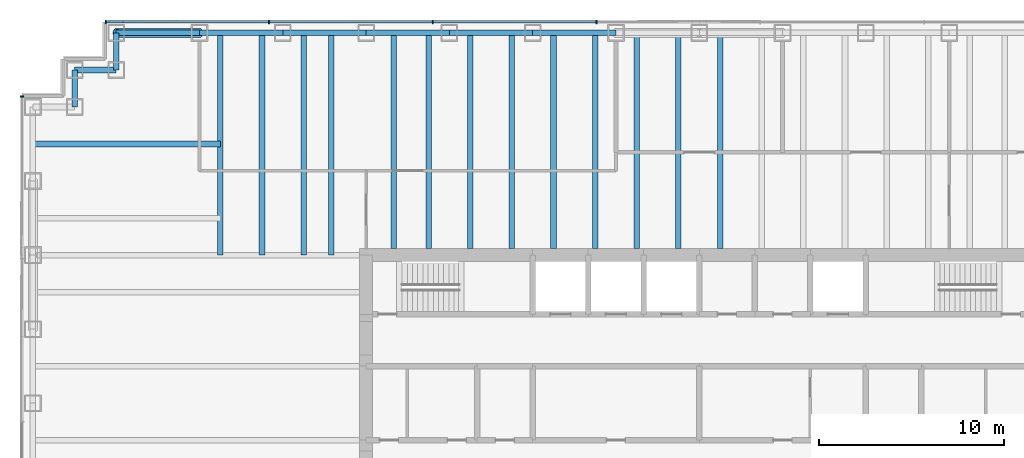
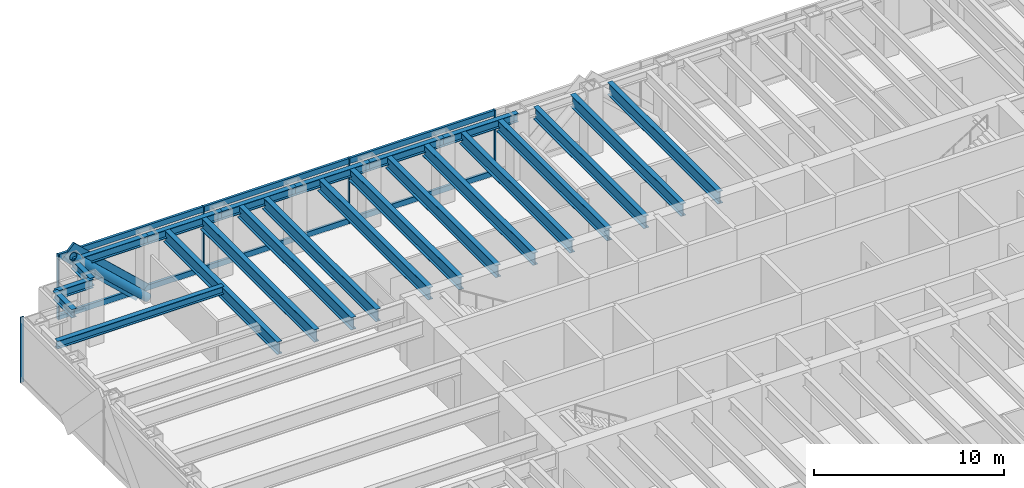
# One storey, part 6 of 17: 23 beams, 13 members, 2 elements without a shape of their own.
"""IFC4 building model written with IfcOpenShell, lengths in metres."""

import ifcopenshell
import ifcopenshell.guid

model = None  # the IFC model being written
_history = None  # IfcOwnerHistory: only IFC2X3 demands one
_inside = {}  # id of a spatial element -> (the spatial element, [elements in it])
_under = {}  # id of a project, library or spatial element -> (it, [spatial elements below it])
_declared = {}  # id of a project -> (the project, [libraries it declares])
_typed = {}  # id of a type object -> (the type object, [elements of that type])
_made_of = {}  # id of a material, layer set ... -> (it, [elements and type objects made of it])


def new_model(schema):
    """Start an empty IFC model of exactly this schema.

    Asked for "IFC4X3", IfcOpenShell would pick the latest addendum, in which some entities
    have other attributes; the version numbers below select the first issue.
    IFC2X3 requires an IfcOwnerHistory on every rooted entity: one is made here for all.
    """
    global model, _history
    if schema == "IFC4X3":
        model = ifcopenshell.file(schema_version=(4, 3, 0, 0))
    else:
        model = ifcopenshell.file(schema=schema)
    _inside.clear()
    _under.clear()
    _declared.clear()
    _typed.clear()
    _made_of.clear()
    _history = None
    if model.schema == "IFC2X3":
        org = make("IfcOrganization", Name="unknown")
        user = make(
            "IfcPersonAndOrganization",
            ThePerson=make("IfcPerson", FamilyName="unknown"),
            TheOrganization=org,
        )
        app = make(
            "IfcApplication",
            ApplicationDeveloper=org,
            Version="unknown",
            ApplicationFullName="unknown",
            ApplicationIdentifier="unknown",
        )
        _history = make(
            "IfcOwnerHistory",
            OwningUser=user,
            OwningApplication=app,
            ChangeAction="ADDED",
            CreationDate=0,
        )
    return model


def make(cls, **values):
    """One entity of the class cls with the attributes given. An attribute that is None is left unset."""
    return model.create_entity(
        cls, **{name: value for name, value in values.items() if value is not None}
    )


def rooted(cls, **values):
    """An entity with a GlobalId (a new one), such as an element, a storey or a relation."""
    return make(cls, GlobalId=ifcopenshell.guid.new(), OwnerHistory=_history, **values)


def si_unit(unit_type, name, prefix=None):
    """IfcSIUnit, for example si_unit("LENGTHUNIT", "METRE", prefix="MILLI")."""
    return make("IfcSIUnit", UnitType=unit_type, Prefix=prefix, Name=name)


def assignment(units):
    """IfcUnitAssignment: the units of a project."""
    return None if units is None else make("IfcUnitAssignment", Units=units)


def point(xyz):
    """IfcCartesianPoint."""
    return None if xyz is None else make("IfcCartesianPoint", Coordinates=xyz)


def direction(xyz):
    """IfcDirection."""
    return None if xyz is None else make("IfcDirection", DirectionRatios=xyz)


def frame(location, z_axis=None, x_axis=None):
    """IfcAxis2Placement3D, a coordinate frame: its origin and axes. An axis left out is left unset."""
    return make(
        "IfcAxis2Placement3D",
        Location=point(location),
        Axis=direction(z_axis),
        RefDirection=direction(x_axis),
    )


def frame_2d(location, x_axis=None):
    """IfcAxis2Placement2D, a coordinate frame in the plane: its origin and x axis."""
    return make(
        "IfcAxis2Placement2D", Location=point(location), RefDirection=direction(x_axis)
    )


def origin():
    """The frame at (0, 0, 0) with its axes left unset."""
    return frame((0.0, 0.0, 0.0))


def origin_2d():
    """The frame at (0, 0) in the plane with its x axis left unset."""
    return frame_2d((0.0, 0.0))


def place(relative_to, where):
    """IfcLocalPlacement: puts the frame where relative to a parent placement (None: the world)."""
    return make(
        "IfcLocalPlacement", PlacementRelTo=relative_to, RelativePlacement=where
    )


def context(
    kind, dimensions, precision=None, world=None, true_north=None, identifier=None
):
    """IfcGeometricRepresentationContext, for example the 3D "Model" context."""
    return make(
        "IfcGeometricRepresentationContext",
        ContextIdentifier=identifier,
        ContextType=kind,
        CoordinateSpaceDimension=dimensions,
        Precision=precision,
        WorldCoordinateSystem=world,
        TrueNorth=true_north,
    )


def subcontext(parent, identifier, kind, view, scale=None):
    """IfcGeometricRepresentationSubContext, for example "Body" below "Model"."""
    return make(
        "IfcGeometricRepresentationSubContext",
        ContextIdentifier=identifier,
        ContextType=kind,
        ParentContext=parent,
        TargetScale=scale,
        TargetView=view,
    )


def project(units=None, contexts=None):
    """IfcProject with its units and contexts."""
    return rooted(
        "IfcProject",
        Name="project",
        RepresentationContexts=contexts,
        UnitsInContext=assignment(units),
    )


def spatial(cls, under=None, at=None, **own):
    """A site, building, storey or space (cls), placed at a placement, below another one or the project."""
    s = rooted(cls, ObjectPlacement=at, **own)
    if under is not None:
        _under.setdefault(under.id(), (under, []))[1].append(s)
    return s


def profile(cls, at=None, kind="AREA", **sizes):
    """A parametric profile (cls). Its sizes go by their IFC names, for example OverallWidth=200.0."""
    return make(cls, ProfileType=kind, Position=at, **sizes)


def rectangle(**sizes):
    """IfcRectangleProfileDef."""
    return profile("IfcRectangleProfileDef", **sizes)


def hollow_circle(**sizes):
    """IfcCircleHollowProfileDef."""
    return profile("IfcCircleHollowProfileDef", **sizes)


def i_section(**sizes):
    """IfcIShapeProfileDef."""
    return profile("IfcIShapeProfileDef", **sizes)


def extrude(swept, where, along, depth):
    """IfcExtrudedAreaSolid: the profile swept, set in the frame where, extruded along a direction by depth."""
    return make(
        "IfcExtrudedAreaSolid",
        SweptArea=swept,
        Position=where,
        ExtrudedDirection=direction(along),
        Depth=depth,
    )


def shape(context_of_items, identifier, shape_type, items):
    """IfcShapeRepresentation: the items that make up one representation, for example the "Body"."""
    return make(
        "IfcShapeRepresentation",
        ContextOfItems=context_of_items,
        RepresentationIdentifier=identifier,
        RepresentationType=shape_type,
        Items=items,
    )


def material(Name=None, Category=None):
    """IfcMaterial."""
    return make("IfcMaterial", Name=Name, Category=Category)


def material_profile(
    of_material, cross_section, Name=None, Category=None, Priority=None
):
    """IfcMaterialProfile: a cross section and its material."""
    return make(
        "IfcMaterialProfile",
        Name=Name,
        Material=of_material,
        Profile=cross_section,
        Priority=Priority,
        Category=Category,
    )


def profile_set(profiles, Name=None, composite=None):
    """IfcMaterialProfileSet."""
    return make(
        "IfcMaterialProfileSet",
        Name=Name,
        MaterialProfiles=profiles,
        CompositeProfile=composite,
    )


def made_of(thing, what):
    """Note that an element or type object is made of a material, layer set ...; save() writes the relation."""
    if what is not None:
        _made_of.setdefault(what.id(), (what, []))[1].append(thing)
    return thing


def type_object(cls, material=None, **own):
    """A type object (cls), such as IfcWallType, which elements share."""
    return made_of(rooted(cls, **own), material)


def element(
    cls,
    number,
    at=None,
    inside=None,
    cuts=None,
    type_object=None,
    material=None,
    context=None,
    identifier="Body",
    shape_type=None,
    held_by="IfcProductDefinitionShape",
    body=None,
    shapes=None,
    **own,
):
    """One element of the class cls, such as IfcWall. Its Tag is "e" and its number.

    at: its placement. inside: the storey or other place that contains it. cuts: it is an
    opening in that element (IfcRelVoidsElement). A single representation is given by context,
    identifier, shape_type and body (its items); several are given by shapes. held_by: the class
    of the entity that holds the representations. save() writes the other relations.
    """
    e = rooted(cls, Tag="e%d" % number, ObjectPlacement=at, **own)
    if body is not None:
        shapes = [shape(context, identifier, shape_type, body)]
    if shapes is not None:
        e.Representation = make(held_by, Representations=shapes)
    if inside is not None:
        _inside.setdefault(inside.id(), (inside, []))[1].append(e)
    if cuts is not None:
        rooted(
            "IfcRelVoidsElement", RelatingBuildingElement=cuts, RelatedOpeningElement=e
        )
    if type_object is not None:
        _typed.setdefault(type_object.id(), (type_object, []))[1].append(e)
    return made_of(e, material)


def aggregate(whole, parts):
    """IfcRelAggregates: a whole, such as a stair, and the parts it consists of."""
    return rooted("IfcRelAggregates", RelatingObject=whole, RelatedObjects=parts)


def save(model, path):
    """Write the relations noted so far, then the file.

    IfcRelAggregates (storeys below a building ...), IfcRelContainedInSpatialStructure (elements
    in a storey), IfcRelDefinesByType, IfcRelAssociatesMaterial and IfcRelDeclares: one each for
    every whole, place, type object, material and project.
    """
    for whole, parts in _under.values():
        aggregate(whole, parts)
    for where, things in _inside.values():
        rooted(
            "IfcRelContainedInSpatialStructure",
            RelatedElements=things,
            RelatingStructure=where,
        )
    for kind, things in _typed.values():
        rooted("IfcRelDefinesByType", RelatedObjects=things, RelatingType=kind)
    for what, things in _made_of.values():
        rooted("IfcRelAssociatesMaterial", RelatedObjects=things, RelatingMaterial=what)
    for by, libraries in _declared.values():
        rooted("IfcRelDeclares", RelatingContext=by, RelatedDefinitions=libraries)
    model.write(path)


model = new_model("IFC4")

# Units and contexts
model_context = context("Model", 3, precision=1e-05, world=origin(), true_north=direction((0.0, 1.0)))
body_context = subcontext(model_context, "Body", "Model", "MODEL_VIEW")
ifc_project = project(units=[si_unit("LENGTHUNIT", "METRE"), si_unit("AREAUNIT", "SQUARE_METRE"), si_unit("VOLUMEUNIT", "CUBIC_METRE"), si_unit("PLANEANGLEUNIT", "RADIAN"), si_unit("MASSUNIT", "GRAM", prefix="KILO")], contexts=[model_context])

# Site, building, storey
site_placement = place(None, origin())
site = spatial("IfcSite", under=ifc_project, at=site_placement, CompositionType="ELEMENT")
building_placement = place(site_placement, origin())
building = spatial("IfcBuilding", under=site, at=building_placement, Name="Rheinbord Bourse Tower", CompositionType="ELEMENT")
storey_placement = place(building_placement, frame((0.0, 0.0, 300.5)))
storey = spatial("IfcBuildingStorey", under=building, at=storey_placement, Name="L68", CompositionType="ELEMENT", Elevation=300.5)

# Curtain wall, members
ifc_material_1 = material(Name="Dark glass and black aluminium", Category="aluminium")
curtain_wall_type = type_object("IfcCurtainWallType", Name="CW3 DARK GLASS CURTAIN WALL", PredefinedType="USERDEFINED", material=ifc_material_1)
curtain_wall_1_placement = place(storey_placement, origin())
curtain_wall_1 = element("IfcCurtainWall", 1, at=curtain_wall_1_placement, inside=storey, type_object=curtain_wall_type, Name="Curtain wall CW3 N L68", ObjectType="UNITISED CURTAIN WALL", PredefinedType="USERDEFINED")
ifc_material_2 = material(Name="Black anodised aluminium", Category="aluminium")
ifc_material_profile_1 = material_profile(ifc_material_2, rectangle(XDim=0.14990234375, YDim=1.10791015625, at=origin_2d()), Name="CW3 DIAGONAL MULLION 1108x150")
ifc_profile_set_1 = profile_set([ifc_material_profile_1], Name="Black anodised aluminium")
member_type_1 = type_object("IfcMemberType", Name="CW3 BLACK DIAGONAL MULLION", PredefinedType="USERDEFINED", material=ifc_profile_set_1)
member_1_placement = place(storey_placement, frame((9.0, 44.60009765625, 0.0), z_axis=(-0.73105922506, 0.0, 0.682314010889), x_axis=(0.0, -1.0, 0.0)))
member_1 = element("IfcMember", 2, at=member_1_placement, type_object=member_type_1, Name="CW3 diagonal mullion b", ObjectType="DIAGONAL MULLION", PredefinedType="USERDEFINED", context=body_context, shape_type="SweptSolid", body=[
    extrude(rectangle(XDim=0.14990234375, YDim=1.10791015625, at=origin_2d()), origin(), (0.0, 0.0, 1.0), 6.155517578125),
])
ifc_material_3 = material(Name="Black anodised aluminium", Category="aluminium")
ifc_material_profile_2 = material_profile(ifc_material_3, rectangle(XDim=0.199951171875, YDim=0.06494140625, at=origin_2d()), Name="CW3 MULLION 65x200")
ifc_profile_set_2 = profile_set([ifc_material_profile_2], Name="Black anodised aluminium")
member_type_2 = type_object("IfcMemberType", Name="CW3 BLACK MULLION", PredefinedType="MULLION", material=ifc_profile_set_2)
member_2_placement = place(storey_placement, frame((30.449951171875, 44.60009765625, 0.0), z_axis=(0.0, 0.0, 1.0), x_axis=(0.0, -1.0, 0.0)))
member_2 = element("IfcMember", 3, at=member_2_placement, type_object=member_type_2, Name="CW3 mullion 5", PredefinedType="MULLION", context=body_context, shape_type="SweptSolid", body=[
    extrude(rectangle(XDim=0.199951171875, YDim=0.06494140625, at=origin_2d()), origin(), (0.0, 0.0, 1.0), 4.199951171875),
])
member_3_placement = place(storey_placement, frame((21.60009765625, 44.60009765625, 0.0), z_axis=(0.0, 0.0, 1.0), x_axis=(0.0, -1.0, 0.0)))
member_3 = element("IfcMember", 4, at=member_3_placement, type_object=member_type_2, Name="CW3 mullion 6", PredefinedType="MULLION", context=body_context, shape_type="SweptSolid", body=[
    extrude(rectangle(XDim=0.199951171875, YDim=0.06494140625, at=origin_2d()), origin(), (0.0, 0.0, 1.0), 4.199951171875),
])
member_4_placement = place(storey_placement, frame((12.75, 44.60009765625, 0.0), z_axis=(0.0, 0.0, 1.0), x_axis=(0.0, -1.0, 0.0)))
member_4 = element("IfcMember", 5, at=member_4_placement, type_object=member_type_2, Name="CW3 mullion 7", PredefinedType="MULLION", context=body_context, shape_type="SweptSolid", body=[
    extrude(rectangle(XDim=0.199951171875, YDim=0.06494140625, at=origin_2d()), origin(), (0.0, 0.0, 1.0), 4.199951171875),
])
member_5_placement = place(storey_placement, frame((3.9326171875, 44.60009765625, 0.0), z_axis=(0.0, 0.0, 1.0), x_axis=(0.0, -1.0, 0.0)))
member_5 = element("IfcMember", 6, at=member_5_placement, type_object=member_type_2, Name="CW3 mullion 8", PredefinedType="MULLION", context=body_context, shape_type="SweptSolid", body=[
    extrude(rectangle(XDim=0.199951171875, YDim=0.06494140625, at=origin_2d()), origin(), (0.0, 0.0, 1.0), 4.199951171875),
])

# Curtain wall, member
curtain_wall_2_placement = place(storey_placement, origin())
curtain_wall_2 = element("IfcCurtainWall", 7, at=curtain_wall_2_placement, inside=storey, type_object=curtain_wall_type, Name="Curtain wall CW3 W L68", ObjectType="UNITISED CURTAIN WALL", PredefinedType="USERDEFINED")
member_6_placement = place(storey_placement, frame((-0.60009765625, 40.5673828125, 0.0), z_axis=(0.0, 0.0, 1.0), x_axis=(1.0, 0.0, 0.0)))
member_6 = element("IfcMember", 8, at=member_6_placement, type_object=member_type_2, Name="CW3 mullion 1", PredefinedType="MULLION", context=body_context, shape_type="SweptSolid", body=[
    extrude(rectangle(XDim=0.199951171875, YDim=0.06494140625, at=origin_2d()), origin(), (0.0, 0.0, 1.0), 4.199951171875),
])
aggregate(curtain_wall_2, [member_6])

# Member
ifc_material_4 = material(Name="Black anodised aluminium", Category="aluminium")
ifc_material_profile_3 = material_profile(ifc_material_4, rectangle(XDim=0.14990234375, YDim=0.35009765625, at=origin_2d()), Name="CW3 TRANSOM 350x150")
ifc_profile_set_3 = profile_set([ifc_material_profile_3], Name="Black anodised aluminium")
member_type_3 = type_object("IfcMemberType", Name="CW3 BLACK TRANSOM", PredefinedType="USERDEFINED", material=ifc_profile_set_3)
member_7_placement = place(storey_placement, frame((30.41748046875, 44.60009765625, 0.175048828125), z_axis=(-1.0, 0.0, 0.0), x_axis=(0.0, -1.0, 0.0)))
member_7 = element("IfcMember", 9, at=member_7_placement, type_object=member_type_3, Name="CW3 transom 5.1", ObjectType="TRANSOM", PredefinedType="USERDEFINED", context=body_context, shape_type="SweptSolid", body=[
    extrude(rectangle(XDim=0.14990234375, YDim=0.35009765625, at=origin_2d()), origin(), (0.0, 0.0, 1.0), 8.784912109375),
])

member_8_placement = place(storey_placement, frame((30.41748046875, 44.60009765625, 4.02490234375), z_axis=(-1.0, 0.0, 0.0), x_axis=(0.0, -1.0, 0.0)))
member_8 = element("IfcMember", 10, at=member_8_placement, type_object=member_type_3, Name="CW3 transom 5.2", ObjectType="TRANSOM", PredefinedType="USERDEFINED", context=body_context, shape_type="SweptSolid", body=[
    extrude(rectangle(XDim=0.14990234375, YDim=0.35009765625, at=origin_2d()), origin(), (0.0, 0.0, 1.0), 8.784912109375),
])

member_9_placement = place(storey_placement, frame((21.5673828125, 44.60009765625, 0.175048828125), z_axis=(-1.0, 0.0, 0.0), x_axis=(0.0, -1.0, 0.0)))
member_9 = element("IfcMember", 11, at=member_9_placement, type_object=member_type_3, Name="CW3 transom 6.1", ObjectType="TRANSOM", PredefinedType="USERDEFINED", context=body_context, shape_type="SweptSolid", body=[
    extrude(rectangle(XDim=0.14990234375, YDim=0.35009765625, at=origin_2d()), origin(), (0.0, 0.0, 1.0), 8.784912109375),
])

member_10_placement = place(storey_placement, frame((21.5673828125, 44.60009765625, 4.02490234375), z_axis=(-1.0, 0.0, 0.0), x_axis=(0.0, -1.0, 0.0)))
member_10 = element("IfcMember", 12, at=member_10_placement, type_object=member_type_3, Name="CW3 transom 6.2", ObjectType="TRANSOM", PredefinedType="USERDEFINED", context=body_context, shape_type="SweptSolid", body=[
    extrude(rectangle(XDim=0.14990234375, YDim=0.35009765625, at=origin_2d()), origin(), (0.0, 0.0, 1.0), 8.784912109375),
])

member_11_placement = place(storey_placement, frame((12.717529296875, 44.60009765625, 0.175048828125), z_axis=(-1.0, 0.0, 0.0), x_axis=(0.0, -1.0, 0.0)))
member_11 = element("IfcMember", 13, at=member_11_placement, type_object=member_type_3, Name="CW3 transom 7.1", ObjectType="TRANSOM", PredefinedType="USERDEFINED", context=body_context, shape_type="SweptSolid", body=[
    extrude(rectangle(XDim=0.14990234375, YDim=0.35009765625, at=origin_2d()), origin(), (0.0, 0.0, 1.0), 8.75244140625),
])

member_12_placement = place(storey_placement, frame((12.717529296875, 44.60009765625, 4.02490234375), z_axis=(-1.0, 0.0, 0.0), x_axis=(0.0, -1.0, 0.0)))
member_12 = element("IfcMember", 14, at=member_12_placement, type_object=member_type_3, Name="CW3 transom 7.2", ObjectType="TRANSOM", PredefinedType="USERDEFINED", context=body_context, shape_type="SweptSolid", body=[
    extrude(rectangle(XDim=0.14990234375, YDim=0.35009765625, at=origin_2d()), origin(), (0.0, 0.0, 1.0), 8.75244140625),
])

aggregate(curtain_wall_1, [member_2, member_3, member_4, member_5, member_7, member_8, member_9, member_10, member_11, member_12, member_1])

# Beams
ifc_material_5 = material(Name="Steel S460", Category="steel")
ifc_material_profile_4 = material_profile(ifc_material_5, i_section(OverallWidth=0.300048828125, OverallDepth=0.800048828125, WebThickness=0.017578125, FlangeThickness=0.032958984375, at=origin_2d()), Name="HEB 800")
ifc_profile_set_4 = profile_set([ifc_material_profile_4], Name="Steel S460")
beam_type_1 = type_object("IfcBeamType", Name="FLOOR BEAM HEB 800", PredefinedType="BEAM", material=ifc_profile_set_4)
for number, where, z_axis, x_axis, name in (
    (15, (10.125, 44.0, 3.639892578125), (0.0, -1.0, 0.0), (1.0, 0.0, 0.0), "Floor beam N-9a L69"),
    (16, (12.375, 44.0, 3.639892578125), (0.0, -1.0, 0.0), (1.0, 0.0, 0.0), "Floor beam N-9b L69"),
    (17, (14.625, 44.0, 3.639892578125), (0.0, -1.0, 0.0), (1.0, 0.0, 0.0), "Floor beam N-13.5a L69"),
    (18, (16.125, 44.0, 3.639892578125), (0.0, -1.0, 0.0), (1.0, 0.0, 0.0), "Floor beam N-13.5b L69"),
):
    element("IfcBeam", number, at=place(storey_placement, frame(where, z_axis=z_axis, x_axis=x_axis)), inside=storey, type_object=beam_type_1, Name=name, PredefinedType="BEAM", context=body_context, shape_type="SweptSolid", body=[
        extrude(i_section(OverallWidth=0.300048828125, OverallDepth=0.800048828125, WebThickness=0.017578125, FlangeThickness=0.032958984375, at=origin_2d()), origin(), (0.0, 0.0, 1.0), 12.0),
    ])
for number, where, z_axis, x_axis, name in (
    (19, (19.5, 44.0, 3.639892578125), (0.0, -1.0, 0.0), (1.0, 0.0, 0.0), "Floor beam N-18a L69"),
    (20, (21.375, 44.0, 3.639892578125), (0.0, -1.0, 0.0), (1.0, 0.0, 0.0), "Floor beam N-18b L69"),
    (21, (23.625, 44.0, 3.639892578125), (0.0, -1.0, 0.0), (1.0, 0.0, 0.0), "Floor beam N-22.5a L69"),
    (22, (25.875, 44.0, 3.639892578125), (0.0, -1.0, 0.0), (1.0, 0.0, 0.0), "Floor beam N-22.5b L69"),
    (23, (28.125, 44.0, 3.639892578125), (0.0, -1.0, 0.0), (1.0, 0.0, 0.0), "Floor beam N-27a L69"),
    (24, (30.375, 44.0, 3.639892578125), (0.0, -1.0, 0.0), (1.0, 0.0, 0.0), "Floor beam N-27b L69"),
    (25, (32.625, 44.0, 3.639892578125), (0.0, -1.0, 0.0), (1.0, 0.0, 0.0), "Floor beam N-31.5a L69"),
    (26, (34.875, 44.0, 3.639892578125), (0.0, -1.0, 0.0), (1.0, 0.0, 0.0), "Floor beam N-31.5b L69"),
    (27, (37.125, 44.0, 3.639892578125), (0.0, -1.0, 0.0), (1.0, 0.0, 0.0), "Floor beam N-36a L69"),
):
    element("IfcBeam", number, at=place(storey_placement, frame(where, z_axis=z_axis, x_axis=x_axis)), inside=storey, type_object=beam_type_1, Name=name, PredefinedType="BEAM", context=body_context, shape_type="SweptSolid", body=[
        extrude(i_section(OverallWidth=0.300048828125, OverallDepth=0.800048828125, WebThickness=0.017578125, FlangeThickness=0.032958984375, at=origin_2d()), origin(), (0.0, 0.0, 1.0), 11.64990234375),
    ])

# Member
ifc_material_6 = material(Name="Steel S460", Category="steel")
ifc_material_profile_5 = material_profile(ifc_material_6, hollow_circle(Radius=0.25390625, WallThickness=0.030029296875, at=origin_2d()), Name="CHS 508x30")
ifc_profile_set_5 = profile_set([ifc_material_profile_5], Name="Steel S460")
member_type_4 = type_object("IfcMemberType", Name="MEGABRACE CHS 508x30", PredefinedType="BRACE", material=ifc_profile_set_5)
member_13_placement = place(storey_placement, frame((9.0, 44.0, 0.0), z_axis=(-0.73105922506, 0.0, 0.682314010889), x_axis=(0.0, -1.0, 0.0)))
element("IfcMember", 28, at=member_13_placement, inside=storey, type_object=member_type_4, Name="Megabrace N face line b L68", PredefinedType="BRACE", context=body_context, shape_type="SweptSolid", body=[
    extrude(hollow_circle(Radius=0.25390625, WallThickness=0.030029296875, at=origin_2d()), origin(), (0.0, 0.0, 1.0), 6.155517578125),
])

# Beams
ifc_material_7 = material(Name="Steel S460", Category="steel")
ifc_material_profile_6 = material_profile(ifc_material_7, i_section(OverallWidth=0.300048828125, OverallDepth=0.550048828125, WebThickness=0.014892578125, FlangeThickness=0.029052734375, at=origin_2d()), Name="HEB 550")
ifc_profile_set_6 = profile_set([ifc_material_profile_6], Name="Steel S460")
beam_type_2 = type_object("IfcBeamType", Name="SPANDREL HEB 550", PredefinedType="SPANDREL", material=ifc_profile_set_6)
for number, where, z_axis, x_axis, name in (
    (29, (31.5, 44.0, 3.764892578125), (-1.0, 0.0, 0.0), (0.0, -1.0, 0.0), "Spandrel N-31.5-N-27 under L69"),
    (30, (27.0, 44.0, 3.764892578125), (-1.0, 0.0, 0.0), (0.0, -1.0, 0.0), "Spandrel N-27-N-22.5 under L69"),
    (31, (22.5, 44.0, 3.764892578125), (-1.0, 0.0, 0.0), (0.0, -1.0, 0.0), "Spandrel N-22.5-N-18 under L69"),
    (32, (18.0, 44.0, 3.764892578125), (-1.0, 0.0, 0.0), (0.0, -1.0, 0.0), "Spandrel N-18-N-13.5 under L69"),
    (33, (13.5, 44.0, 3.764892578125), (-1.0, 0.0, 0.0), (0.0, -1.0, 0.0), "Spandrel N-13.5-N-9 under L69"),
    (34, (9.0, 44.0, 3.764892578125), (-1.0, 0.0, 0.0), (0.0, -1.0, 0.0), "Spandrel N-9-NW-E under L69"),
):
    element("IfcBeam", number, at=place(storey_placement, frame(where, z_axis=z_axis, x_axis=x_axis)), inside=storey, type_object=beam_type_2, Name=name, PredefinedType="SPANDREL", context=body_context, shape_type="SweptSolid", body=[
        extrude(i_section(OverallWidth=0.300048828125, OverallDepth=0.550048828125, WebThickness=0.014892578125, FlangeThickness=0.029052734375, at=origin_2d()), origin(), (0.0, 0.0, 1.0), 4.5),
    ])
beam_1_placement = place(storey_placement, frame((4.5, 44.0, 3.764892578125), z_axis=(0.0, -1.0, 0.0), x_axis=(1.0, 0.0, 0.0)))
element("IfcBeam", 35, at=beam_1_placement, inside=storey, type_object=beam_type_2, Name="Spandrel NW-E-NW-D under L69", PredefinedType="SPANDREL", context=body_context, shape_type="SweptSolid", body=[
    extrude(i_section(OverallWidth=0.300048828125, OverallDepth=0.550048828125, WebThickness=0.014892578125, FlangeThickness=0.029052734375, at=origin_2d()), origin(), (0.0, 0.0, 1.0), 2.0),
])
beam_2_placement = place(storey_placement, frame((4.5, 42.0, 3.764892578125), z_axis=(-1.0, 0.0, 0.0), x_axis=(0.0, -1.0, 0.0)))
element("IfcBeam", 36, at=beam_2_placement, inside=storey, type_object=beam_type_2, Name="Spandrel NW-D-NW-C under L69", PredefinedType="SPANDREL", context=body_context, shape_type="SweptSolid", body=[
    extrude(i_section(OverallWidth=0.300048828125, OverallDepth=0.550048828125, WebThickness=0.014892578125, FlangeThickness=0.029052734375, at=origin_2d()), origin(), (0.0, 0.0, 1.0), 2.25),
])
beam_3_placement = place(storey_placement, frame((2.25, 42.0, 3.764892578125), z_axis=(0.0, -1.0, 0.0), x_axis=(1.0, 0.0, 0.0)))
element("IfcBeam", 37, at=beam_3_placement, inside=storey, type_object=beam_type_2, Name="Spandrel NW-C-NW-B under L69", PredefinedType="SPANDREL", context=body_context, shape_type="SweptSolid", body=[
    extrude(i_section(OverallWidth=0.300048828125, OverallDepth=0.550048828125, WebThickness=0.014892578125, FlangeThickness=0.029052734375, at=origin_2d()), origin(), (0.0, 0.0, 1.0), 2.0),
])
ifc_material_8 = material(Name="Steel S460", Category="steel")
ifc_material_profile_7 = material_profile(ifc_material_8, i_section(OverallWidth=0.300048828125, OverallDepth=0.5, WebThickness=0.014404296875, FlangeThickness=0.028076171875, at=origin_2d()), Name="HEB 500")
ifc_profile_set_7 = profile_set([ifc_material_profile_7], Name="Steel S460")
beam_type_3 = type_object("IfcBeamType", Name="TIE BEAM HEB 500", PredefinedType="JOIST", material=ifc_profile_set_7)
beam_4_placement = place(storey_placement, frame((0.0, 38.0, 3.7900390625), z_axis=(1.0, 0.0, 0.0), x_axis=(0.0, 1.0, 0.0)))
element("IfcBeam", 38, at=beam_4_placement, inside=storey, type_object=beam_type_3, Name="Tie west 38 L69", PredefinedType="JOIST", context=body_context, shape_type="SweptSolid", body=[
    extrude(i_section(OverallWidth=0.300048828125, OverallDepth=0.5, WebThickness=0.014404296875, FlangeThickness=0.028076171875, at=origin_2d()), origin(), (0.0, 0.0, 1.0), 10.125),
])

save(model, "model.ifc")
